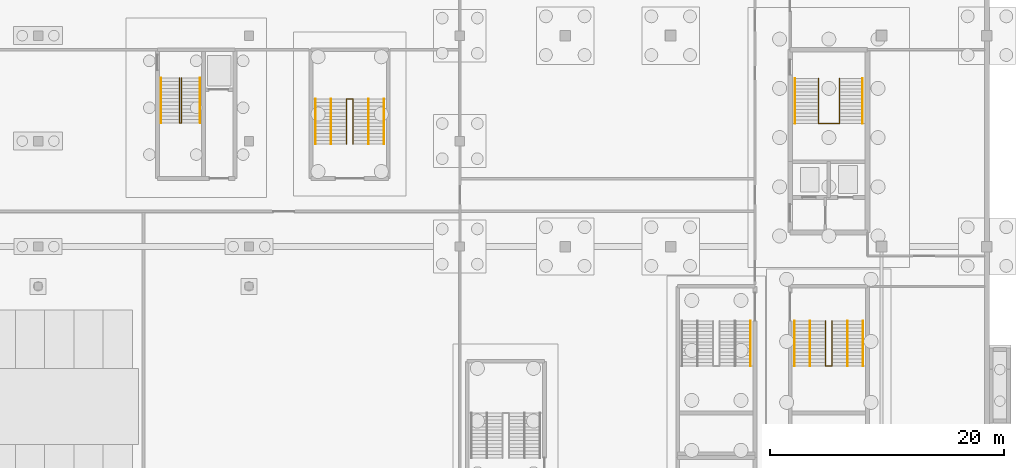
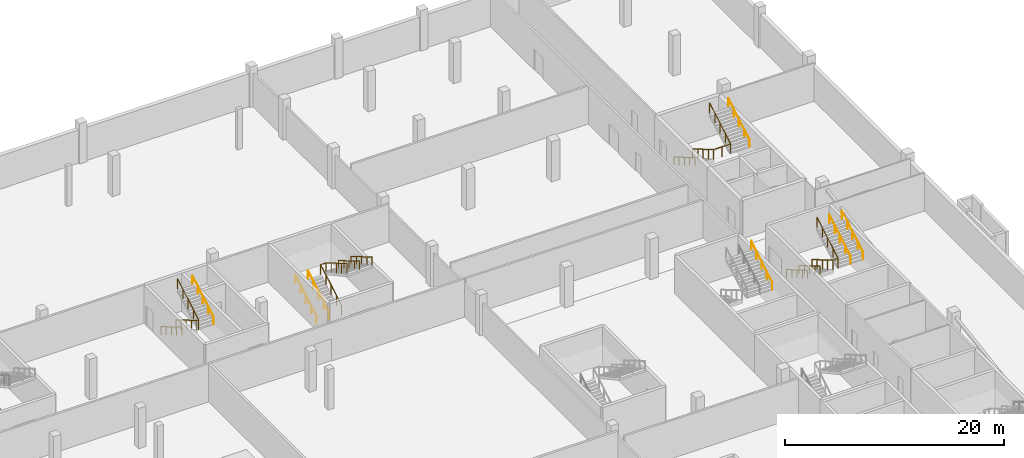
# One storey, part 44 of 46: 17 railings.
"""IFC4 building model written with IfcOpenShell, lengths in metres."""

import ifcopenshell
import ifcopenshell.guid

model = None  # the IFC model being written
_history = None  # IfcOwnerHistory: only IFC2X3 demands one
_inside = {}  # id of a spatial element -> (the spatial element, [elements in it])
_under = {}  # id of a project, library or spatial element -> (it, [spatial elements below it])
_declared = {}  # id of a project -> (the project, [libraries it declares])
_typed = {}  # id of a type object -> (the type object, [elements of that type])
_made_of = {}  # id of a material, layer set ... -> (it, [elements and type objects made of it])


def new_model(schema):
    """Start an empty IFC model of exactly this schema.

    Asked for "IFC4X3", IfcOpenShell would pick the latest addendum, in which some entities
    have other attributes; the version numbers below select the first issue.
    IFC2X3 requires an IfcOwnerHistory on every rooted entity: one is made here for all.
    """
    global model, _history
    if schema == "IFC4X3":
        model = ifcopenshell.file(schema_version=(4, 3, 0, 0))
    else:
        model = ifcopenshell.file(schema=schema)
    _inside.clear()
    _under.clear()
    _declared.clear()
    _typed.clear()
    _made_of.clear()
    _history = None
    if model.schema == "IFC2X3":
        org = make("IfcOrganization", Name="unknown")
        user = make(
            "IfcPersonAndOrganization",
            ThePerson=make("IfcPerson", FamilyName="unknown"),
            TheOrganization=org,
        )
        app = make(
            "IfcApplication",
            ApplicationDeveloper=org,
            Version="unknown",
            ApplicationFullName="unknown",
            ApplicationIdentifier="unknown",
        )
        _history = make(
            "IfcOwnerHistory",
            OwningUser=user,
            OwningApplication=app,
            ChangeAction="ADDED",
            CreationDate=0,
        )
    return model


def make(cls, **values):
    """One entity of the class cls with the attributes given. An attribute that is None is left unset."""
    return model.create_entity(
        cls, **{name: value for name, value in values.items() if value is not None}
    )


def rooted(cls, **values):
    """An entity with a GlobalId (a new one), such as an element, a storey or a relation."""
    return make(cls, GlobalId=ifcopenshell.guid.new(), OwnerHistory=_history, **values)


def si_unit(unit_type, name, prefix=None):
    """IfcSIUnit, for example si_unit("LENGTHUNIT", "METRE", prefix="MILLI")."""
    return make("IfcSIUnit", UnitType=unit_type, Prefix=prefix, Name=name)


def assignment(units):
    """IfcUnitAssignment: the units of a project."""
    return None if units is None else make("IfcUnitAssignment", Units=units)


def point(xyz):
    """IfcCartesianPoint."""
    return None if xyz is None else make("IfcCartesianPoint", Coordinates=xyz)


def direction(xyz):
    """IfcDirection."""
    return None if xyz is None else make("IfcDirection", DirectionRatios=xyz)


def frame(location, z_axis=None, x_axis=None):
    """IfcAxis2Placement3D, a coordinate frame: its origin and axes. An axis left out is left unset."""
    return make(
        "IfcAxis2Placement3D",
        Location=point(location),
        Axis=direction(z_axis),
        RefDirection=direction(x_axis),
    )


def frame_2d(location, x_axis=None):
    """IfcAxis2Placement2D, a coordinate frame in the plane: its origin and x axis."""
    return make(
        "IfcAxis2Placement2D", Location=point(location), RefDirection=direction(x_axis)
    )


def origin():
    """The frame at (0, 0, 0) with its axes left unset."""
    return frame((0.0, 0.0, 0.0))


def origin_2d():
    """The frame at (0, 0) in the plane with its x axis left unset."""
    return frame_2d((0.0, 0.0))


def place(relative_to, where):
    """IfcLocalPlacement: puts the frame where relative to a parent placement (None: the world)."""
    return make(
        "IfcLocalPlacement", PlacementRelTo=relative_to, RelativePlacement=where
    )


def context(
    kind, dimensions, precision=None, world=None, true_north=None, identifier=None
):
    """IfcGeometricRepresentationContext, for example the 3D "Model" context."""
    return make(
        "IfcGeometricRepresentationContext",
        ContextIdentifier=identifier,
        ContextType=kind,
        CoordinateSpaceDimension=dimensions,
        Precision=precision,
        WorldCoordinateSystem=world,
        TrueNorth=true_north,
    )


def subcontext(parent, identifier, kind, view, scale=None):
    """IfcGeometricRepresentationSubContext, for example "Body" below "Model"."""
    return make(
        "IfcGeometricRepresentationSubContext",
        ContextIdentifier=identifier,
        ContextType=kind,
        ParentContext=parent,
        TargetScale=scale,
        TargetView=view,
    )


def project(units=None, contexts=None):
    """IfcProject with its units and contexts."""
    return rooted(
        "IfcProject",
        Name="project",
        RepresentationContexts=contexts,
        UnitsInContext=assignment(units),
    )


def spatial(cls, under=None, at=None, **own):
    """A site, building, storey or space (cls), placed at a placement, below another one or the project."""
    s = rooted(cls, ObjectPlacement=at, **own)
    if under is not None:
        _under.setdefault(under.id(), (under, []))[1].append(s)
    return s


def profile(cls, at=None, kind="AREA", **sizes):
    """A parametric profile (cls). Its sizes go by their IFC names, for example OverallWidth=200.0."""
    return make(cls, ProfileType=kind, Position=at, **sizes)


def circle(**sizes):
    """IfcCircleProfileDef."""
    return profile("IfcCircleProfileDef", **sizes)


def extrude(swept, where, along, depth):
    """IfcExtrudedAreaSolid: the profile swept, set in the frame where, extruded along a direction by depth."""
    return make(
        "IfcExtrudedAreaSolid",
        SweptArea=swept,
        Position=where,
        ExtrudedDirection=direction(along),
        Depth=depth,
    )


def shape(context_of_items, identifier, shape_type, items):
    """IfcShapeRepresentation: the items that make up one representation, for example the "Body"."""
    return make(
        "IfcShapeRepresentation",
        ContextOfItems=context_of_items,
        RepresentationIdentifier=identifier,
        RepresentationType=shape_type,
        Items=items,
    )


def material(Name=None, Category=None):
    """IfcMaterial."""
    return make("IfcMaterial", Name=Name, Category=Category)


def made_of(thing, what):
    """Note that an element or type object is made of a material, layer set ...; save() writes the relation."""
    if what is not None:
        _made_of.setdefault(what.id(), (what, []))[1].append(thing)
    return thing


def type_object(cls, material=None, **own):
    """A type object (cls), such as IfcWallType, which elements share."""
    return made_of(rooted(cls, **own), material)


def element(
    cls,
    number,
    at=None,
    inside=None,
    cuts=None,
    type_object=None,
    material=None,
    context=None,
    identifier="Body",
    shape_type=None,
    held_by="IfcProductDefinitionShape",
    body=None,
    shapes=None,
    **own,
):
    """One element of the class cls, such as IfcWall. Its Tag is "e" and its number.

    at: its placement. inside: the storey or other place that contains it. cuts: it is an
    opening in that element (IfcRelVoidsElement). A single representation is given by context,
    identifier, shape_type and body (its items); several are given by shapes. held_by: the class
    of the entity that holds the representations. save() writes the other relations.
    """
    e = rooted(cls, Tag="e%d" % number, ObjectPlacement=at, **own)
    if body is not None:
        shapes = [shape(context, identifier, shape_type, body)]
    if shapes is not None:
        e.Representation = make(held_by, Representations=shapes)
    if inside is not None:
        _inside.setdefault(inside.id(), (inside, []))[1].append(e)
    if cuts is not None:
        rooted(
            "IfcRelVoidsElement", RelatingBuildingElement=cuts, RelatedOpeningElement=e
        )
    if type_object is not None:
        _typed.setdefault(type_object.id(), (type_object, []))[1].append(e)
    return made_of(e, material)


def aggregate(whole, parts):
    """IfcRelAggregates: a whole, such as a stair, and the parts it consists of."""
    return rooted("IfcRelAggregates", RelatingObject=whole, RelatedObjects=parts)


def save(model, path):
    """Write the relations noted so far, then the file.

    IfcRelAggregates (storeys below a building ...), IfcRelContainedInSpatialStructure (elements
    in a storey), IfcRelDefinesByType, IfcRelAssociatesMaterial and IfcRelDeclares: one each for
    every whole, place, type object, material and project.
    """
    for whole, parts in _under.values():
        aggregate(whole, parts)
    for where, things in _inside.values():
        rooted(
            "IfcRelContainedInSpatialStructure",
            RelatedElements=things,
            RelatingStructure=where,
        )
    for kind, things in _typed.values():
        rooted("IfcRelDefinesByType", RelatedObjects=things, RelatingType=kind)
    for what, things in _made_of.values():
        rooted("IfcRelAssociatesMaterial", RelatedObjects=things, RelatingMaterial=what)
    for by, libraries in _declared.values():
        rooted("IfcRelDeclares", RelatingContext=by, RelatedDefinitions=libraries)
    model.write(path)


model = new_model("IFC4")

# Units and contexts
model_context = context("Model", 3, precision=1e-05, world=origin(), true_north=direction((0.0, 1.0)))
body_context = subcontext(model_context, "Body", "Model", "MODEL_VIEW")
ifc_project = project(units=[si_unit("LENGTHUNIT", "METRE"), si_unit("AREAUNIT", "SQUARE_METRE"), si_unit("VOLUMEUNIT", "CUBIC_METRE"), si_unit("PLANEANGLEUNIT", "RADIAN"), si_unit("MASSUNIT", "GRAM", prefix="KILO")], contexts=[model_context])

# Site, building, storey
site_placement = place(None, origin())
site = spatial("IfcSite", under=ifc_project, at=site_placement, CompositionType="ELEMENT")
building_placement = place(site_placement, origin())
building = spatial("IfcBuilding", under=site, at=building_placement, Name="Kisiwana Market Hall", CompositionType="ELEMENT")
storey_placement = place(building_placement, frame((0.0, 0.0, -4.5)))
storey = spatial("IfcBuildingStorey", under=building, at=storey_placement, Name="B1", CompositionType="ELEMENT", Elevation=-4.5)

# Railings
ifc_material_1 = material(Name="Steel S275", Category="steel")
railing_type_1 = type_object("IfcRailingType", Name="RL-GUARD-1100", PredefinedType="GUARDRAIL", material=ifc_material_1)
railing_1_placement = place(storey_placement, frame((183.60009765625, 98.3505859375, 0.0)))
element("IfcRailing", 1, at=railing_1_placement, inside=storey, type_object=railing_type_1, Name="Stair ST-E1-B1 inner-well guardrail (RL-022)", PredefinedType="GUARDRAIL", context=body_context, shape_type="SweptSolid", body=[
    extrude(circle(Radius=0.02392578125, at=origin_2d()), frame((0.0, 0.0, 1.076171875), z_axis=(0.0, -0.86252362769, 0.506016789916), x_axis=(1.0, 0.0, 0.0)), (0.0, 0.0, 1.0), 4.446533203125),
    extrude(circle(Radius=0.02392578125, at=origin_2d()), frame((0.0, -3.835205078125, 3.326171875), z_axis=(1.0, 0.0, 0.0), x_axis=(0.0, 1.0, 0.0)), (0.0, 0.0, 1.0), 1.7998046875),
    extrude(circle(Radius=0.02392578125, at=origin_2d()), frame((1.7998046875, -3.835205078125, 3.326171875), z_axis=(0.0, 0.86252362769, 0.506016789916), x_axis=(-1.0, 0.0, 0.0)), (0.0, 0.0, 1.0), 4.446533203125),
    extrude(circle(Radius=0.02099609375, at=origin_2d()), origin(), (0.0, 0.0, 1.0), 1.052001953125),
    extrude(circle(Radius=0.02099609375, at=origin_2d()), frame((0.0, -0.958740234375, 0.5625)), (0.0, 0.0, 1.0), 1.052001953125),
    extrude(circle(Radius=0.02099609375, at=origin_2d()), frame((0.0, -1.91748046875, 1.125)), (0.0, 0.0, 1.0), 1.052001953125),
    extrude(circle(Radius=0.02099609375, at=origin_2d()), frame((0.0, -2.87646484375, 1.6875)), (0.0, 0.0, 1.0), 1.052001953125),
    extrude(circle(Radius=0.02099609375, at=origin_2d()), frame((0.0, -3.835205078125, 2.25)), (0.0, 0.0, 1.0), 1.052001953125),
    extrude(circle(Radius=0.02099609375, at=origin_2d()), frame((0.89990234375, -3.835205078125, 2.25)), (0.0, 0.0, 1.0), 1.052001953125),
    extrude(circle(Radius=0.02099609375, at=origin_2d()), frame((1.7998046875, -3.835205078125, 2.25)), (0.0, 0.0, 1.0), 1.052001953125),
    extrude(circle(Radius=0.02099609375, at=origin_2d()), frame((1.7998046875, -2.87646484375, 2.8125)), (0.0, 0.0, 1.0), 1.052001953125),
    extrude(circle(Radius=0.02099609375, at=origin_2d()), frame((1.7998046875, -1.91748046875, 3.375)), (0.0, 0.0, 1.0), 1.052001953125),
    extrude(circle(Radius=0.02099609375, at=origin_2d()), frame((1.7998046875, -0.958740234375, 3.9375)), (0.0, 0.0, 1.0), 1.052001953125),
    extrude(circle(Radius=0.02099609375, at=origin_2d()), frame((1.7998046875, 0.0, 4.5)), (0.0, 0.0, 1.0), 1.052001953125),
])
railing_2_placement = place(storey_placement, frame((129.06005859375, 98.390380859375, 0.0)))
element("IfcRailing", 2, at=railing_2_placement, inside=storey, type_object=railing_type_1, Name="Stair ST-N2-B1 inner-well guardrail (RL-034)", PredefinedType="GUARDRAIL", context=body_context, shape_type="SweptSolid", body=[
    extrude(circle(Radius=0.02392578125, at=origin_2d()), frame((0.0, 0.0, 1.076171875), z_axis=(0.0, -0.86250956776, 0.506040754805), x_axis=(1.0, 0.0, 0.0)), (0.0, 0.0, 1.0), 4.4462890625),
    extrude(circle(Radius=0.02392578125, at=origin_2d()), frame((0.0, -3.8349609375, 3.326171875), z_axis=(1.0, 0.0, 0.0), x_axis=(0.0, 1.0, 0.0)), (0.0, 0.0, 1.0), 0.199951171875),
    extrude(circle(Radius=0.02392578125, at=origin_2d()), frame((0.199951171875, -3.8349609375, 3.326171875), z_axis=(0.0, 0.86250956776, 0.506040754805), x_axis=(-1.0, 0.0, 0.0)), (0.0, 0.0, 1.0), 4.4462890625),
    extrude(circle(Radius=0.02099609375, at=origin_2d()), origin(), (0.0, 0.0, 1.0), 1.052001953125),
    extrude(circle(Radius=0.02099609375, at=origin_2d()), frame((0.0, -0.958740234375, 0.5625)), (0.0, 0.0, 1.0), 1.052001953125),
    extrude(circle(Radius=0.02099609375, at=origin_2d()), frame((0.0, -1.91748046875, 1.125)), (0.0, 0.0, 1.0), 1.052001953125),
    extrude(circle(Radius=0.02099609375, at=origin_2d()), frame((0.0, -2.876220703125, 1.6875)), (0.0, 0.0, 1.0), 1.052001953125),
    extrude(circle(Radius=0.02099609375, at=origin_2d()), frame((0.0, -3.8349609375, 2.25)), (0.0, 0.0, 1.0), 1.052001953125),
    extrude(circle(Radius=0.02099609375, at=origin_2d()), frame((0.199951171875, -3.8349609375, 2.25)), (0.0, 0.0, 1.0), 1.052001953125),
    extrude(circle(Radius=0.02099609375, at=origin_2d()), frame((0.199951171875, -2.876220703125, 2.8125)), (0.0, 0.0, 1.0), 1.052001953125),
    extrude(circle(Radius=0.02099609375, at=origin_2d()), frame((0.199951171875, -1.91748046875, 3.375)), (0.0, 0.0, 1.0), 1.052001953125),
    extrude(circle(Radius=0.02099609375, at=origin_2d()), frame((0.199951171875, -0.958740234375, 3.9375)), (0.0, 0.0, 1.0), 1.052001953125),
    extrude(circle(Radius=0.02099609375, at=origin_2d()), frame((0.199951171875, 0.0, 4.5)), (0.0, 0.0, 1.0), 1.052001953125),
])
railing_3_placement = place(storey_placement, frame((184.219970703125, 77.639892578125, 0.0)))
element("IfcRailing", 3, at=railing_3_placement, inside=storey, type_object=railing_type_1, Name="Stair ST-E4-B1 inner-well guardrail (RL-052)", PredefinedType="GUARDRAIL", context=body_context, shape_type="SweptSolid", body=[
    extrude(circle(Radius=0.02392578125, at=origin_2d()), frame((0.0, 0.0, 1.076171875), z_axis=(0.0, -0.86250956776, 0.506040754805), x_axis=(1.0, 0.0, 0.0)), (0.0, 0.0, 1.0), 4.4462890625),
    extrude(circle(Radius=0.02392578125, at=origin_2d()), frame((0.0, -3.8349609375, 3.326171875), z_axis=(1.0, 0.0, 0.0), x_axis=(0.0, 1.0, 0.0)), (0.0, 0.0, 1.0), 0.56005859375),
    extrude(circle(Radius=0.02392578125, at=origin_2d()), frame((0.56005859375, -3.8349609375, 3.326171875), z_axis=(0.0, 0.86250956776, 0.506040754805), x_axis=(-1.0, 0.0, 0.0)), (0.0, 0.0, 1.0), 4.4462890625),
    extrude(circle(Radius=0.02099609375, at=origin_2d()), origin(), (0.0, 0.0, 1.0), 1.052001953125),
    extrude(circle(Radius=0.02099609375, at=origin_2d()), frame((0.0, -0.958740234375, 0.5625)), (0.0, 0.0, 1.0), 1.052001953125),
    extrude(circle(Radius=0.02099609375, at=origin_2d()), frame((0.0, -1.91748046875, 1.125)), (0.0, 0.0, 1.0), 1.052001953125),
    extrude(circle(Radius=0.02099609375, at=origin_2d()), frame((0.0, -2.876220703125, 1.6875)), (0.0, 0.0, 1.0), 1.052001953125),
    extrude(circle(Radius=0.02099609375, at=origin_2d()), frame((0.0, -3.8349609375, 2.25)), (0.0, 0.0, 1.0), 1.052001953125),
    extrude(circle(Radius=0.02099609375, at=origin_2d()), frame((0.56005859375, -3.8349609375, 2.25)), (0.0, 0.0, 1.0), 1.052001953125),
    extrude(circle(Radius=0.02099609375, at=origin_2d()), frame((0.56005859375, -2.876220703125, 2.8125)), (0.0, 0.0, 1.0), 1.052001953125),
    extrude(circle(Radius=0.02099609375, at=origin_2d()), frame((0.56005859375, -1.91748046875, 3.375)), (0.0, 0.0, 1.0), 1.052001953125),
    extrude(circle(Radius=0.02099609375, at=origin_2d()), frame((0.56005859375, -0.958740234375, 3.9375)), (0.0, 0.0, 1.0), 1.052001953125),
    extrude(circle(Radius=0.02099609375, at=origin_2d()), frame((0.56005859375, 0.0, 4.5)), (0.0, 0.0, 1.0), 1.052001953125),
])
railing_4_placement = place(storey_placement, frame((143.320068359375, 92.760009765625, 0.0)))
element("IfcRailing", 4, at=railing_4_placement, inside=storey, type_object=railing_type_1, Name="Stair ST-N6-B1 inner-well guardrail (RL-142)", PredefinedType="GUARDRAIL", context=body_context, shape_type="SweptSolid", body=[
    extrude(circle(Radius=0.02392578125, at=origin_2d()), frame((0.0, 0.0, 1.076171875), z_axis=(0.0, 0.86250956776, 0.506040754805), x_axis=(-1.0, 0.0, 0.0)), (0.0, 0.0, 1.0), 4.4462890625),
    extrude(circle(Radius=0.02392578125, at=origin_2d()), frame((0.0, 3.8349609375, 3.326171875), z_axis=(1.0, 0.0, 0.0), x_axis=(0.0, 1.0, 0.0)), (0.0, 0.0, 1.0), 0.559814453125),
    extrude(circle(Radius=0.02392578125, at=origin_2d()), frame((0.559814453125, 3.8349609375, 3.326171875), z_axis=(0.0, -0.86250956776, 0.506040754805), x_axis=(1.0, 0.0, 0.0)), (0.0, 0.0, 1.0), 4.4462890625),
    extrude(circle(Radius=0.02099609375, at=origin_2d()), origin(), (0.0, 0.0, 1.0), 1.052001953125),
    extrude(circle(Radius=0.02099609375, at=origin_2d()), frame((0.0, 0.958740234375, 0.5625)), (0.0, 0.0, 1.0), 1.052001953125),
    extrude(circle(Radius=0.02099609375, at=origin_2d()), frame((0.0, 1.91748046875, 1.125)), (0.0, 0.0, 1.0), 1.052001953125),
    extrude(circle(Radius=0.02099609375, at=origin_2d()), frame((0.0, 2.876220703125, 1.6875)), (0.0, 0.0, 1.0), 1.052001953125),
    extrude(circle(Radius=0.02099609375, at=origin_2d()), frame((0.0, 3.8349609375, 2.25)), (0.0, 0.0, 1.0), 1.052001953125),
    extrude(circle(Radius=0.02099609375, at=origin_2d()), frame((0.559814453125, 3.8349609375, 2.25)), (0.0, 0.0, 1.0), 1.052001953125),
    extrude(circle(Radius=0.02099609375, at=origin_2d()), frame((0.559814453125, 2.876220703125, 2.8125)), (0.0, 0.0, 1.0), 1.052001953125),
    extrude(circle(Radius=0.02099609375, at=origin_2d()), frame((0.559814453125, 1.91748046875, 3.375)), (0.0, 0.0, 1.0), 1.052001953125),
    extrude(circle(Radius=0.02099609375, at=origin_2d()), frame((0.559814453125, 0.958740234375, 3.9375)), (0.0, 0.0, 1.0), 1.052001953125),
    extrude(circle(Radius=0.02099609375, at=origin_2d()), frame((0.559814453125, 0.0, 4.5)), (0.0, 0.0, 1.0), 1.052001953125),
])
ifc_material_2 = material(Name="Steel S275", Category="steel")
railing_type_2 = type_object("IfcRailingType", Name="RL-HAND-900", PredefinedType="HANDRAIL", material=ifc_material_2)
railing_5_placement = place(storey_placement, frame((181.610107421875, 98.3505859375, 0.0)))
element("IfcRailing", 5, at=railing_5_placement, inside=storey, type_object=railing_type_2, Name="Stair ST-E1-B1 flight 1 handrail (RL-023)", PredefinedType="HANDRAIL", context=body_context, shape_type="SweptSolid", body=[
    extrude(circle(Radius=0.02392578125, at=origin_2d()), frame((0.0, 0.0, 0.8759765625), z_axis=(0.0, -0.86252362769, 0.506016789916), x_axis=(1.0, 0.0, 0.0)), (0.0, 0.0, 1.0), 4.446533203125),
    extrude(circle(Radius=0.02099609375, at=origin_2d()), origin(), (0.0, 0.0, 1.0), 0.851806640625),
    extrude(circle(Radius=0.02099609375, at=origin_2d()), frame((0.0, -0.958740234375, 0.5625)), (0.0, 0.0, 1.0), 0.851806640625),
    extrude(circle(Radius=0.02099609375, at=origin_2d()), frame((0.0, -1.91748046875, 1.125)), (0.0, 0.0, 1.0), 0.851806640625),
    extrude(circle(Radius=0.02099609375, at=origin_2d()), frame((0.0, -2.87646484375, 1.6875)), (0.0, 0.0, 1.0), 0.851806640625),
    extrude(circle(Radius=0.02099609375, at=origin_2d()), frame((0.0, -3.835205078125, 2.25)), (0.0, 0.0, 1.0), 0.851806640625),
])
railing_6_placement = place(storey_placement, frame((187.389892578125, 94.515380859375, 2.25)))
element("IfcRailing", 6, at=railing_6_placement, inside=storey, type_object=railing_type_2, Name="Stair ST-E1-B1 flight 2 handrail (RL-024)", PredefinedType="HANDRAIL", context=body_context, shape_type="SweptSolid", body=[
    extrude(circle(Radius=0.02392578125, at=origin_2d()), frame((0.0, 0.0, 0.8759765625), z_axis=(0.0, 0.86252362769, 0.506016789916), x_axis=(-1.0, 0.0, 0.0)), (0.0, 0.0, 1.0), 4.446533203125),
    extrude(circle(Radius=0.02099609375, at=origin_2d()), origin(), (0.0, 0.0, 1.0), 0.851806640625),
    extrude(circle(Radius=0.02099609375, at=origin_2d()), frame((0.0, 0.958740234375, 0.5625)), (0.0, 0.0, 1.0), 0.851806640625),
    extrude(circle(Radius=0.02099609375, at=origin_2d()), frame((0.0, 1.91748046875, 1.125)), (0.0, 0.0, 1.0), 0.851806640625),
    extrude(circle(Radius=0.02099609375, at=origin_2d()), frame((0.0, 2.87646484375, 1.6875)), (0.0, 0.0, 1.0), 0.851806640625),
    extrude(circle(Radius=0.02099609375, at=origin_2d()), frame((0.0, 3.835205078125, 2.25)), (0.0, 0.0, 1.0), 0.851806640625),
])
railing_7_placement = place(storey_placement, frame((127.47998046875, 98.390380859375, 0.0)))
element("IfcRailing", 7, at=railing_7_placement, inside=storey, type_object=railing_type_2, Name="Stair ST-N2-B1 flight 1 handrail (RL-035)", PredefinedType="HANDRAIL", context=body_context, shape_type="SweptSolid", body=[
    extrude(circle(Radius=0.02392578125, at=origin_2d()), frame((0.0, 0.0, 0.8759765625), z_axis=(0.0, -0.86250956776, 0.506040754805), x_axis=(1.0, 0.0, 0.0)), (0.0, 0.0, 1.0), 4.4462890625),
    extrude(circle(Radius=0.02099609375, at=origin_2d()), origin(), (0.0, 0.0, 1.0), 0.851806640625),
    extrude(circle(Radius=0.02099609375, at=origin_2d()), frame((0.0, -0.958740234375, 0.5625)), (0.0, 0.0, 1.0), 0.851806640625),
    extrude(circle(Radius=0.02099609375, at=origin_2d()), frame((0.0, -1.91748046875, 1.125)), (0.0, 0.0, 1.0), 0.851806640625),
    extrude(circle(Radius=0.02099609375, at=origin_2d()), frame((0.0, -2.876220703125, 1.6875)), (0.0, 0.0, 1.0), 0.851806640625),
    extrude(circle(Radius=0.02099609375, at=origin_2d()), frame((0.0, -3.8349609375, 2.25)), (0.0, 0.0, 1.0), 0.851806640625),
])
railing_8_placement = place(storey_placement, frame((130.840087890625, 94.555419921875, 2.25)))
element("IfcRailing", 8, at=railing_8_placement, inside=storey, type_object=railing_type_2, Name="Stair ST-N2-B1 flight 2 handrail (RL-036)", PredefinedType="HANDRAIL", context=body_context, shape_type="SweptSolid", body=[
    extrude(circle(Radius=0.02392578125, at=origin_2d()), frame((0.0, 0.0, 0.8759765625), z_axis=(0.0, 0.86250956776, 0.506040754805), x_axis=(-1.0, 0.0, 0.0)), (0.0, 0.0, 1.0), 4.4462890625),
    extrude(circle(Radius=0.02099609375, at=origin_2d()), origin(), (0.0, 0.0, 1.0), 0.851806640625),
    extrude(circle(Radius=0.02099609375, at=origin_2d()), frame((0.0, 0.958740234375, 0.5625)), (0.0, 0.0, 1.0), 0.851806640625),
    extrude(circle(Radius=0.02099609375, at=origin_2d()), frame((0.0, 1.91748046875, 1.125)), (0.0, 0.0, 1.0), 0.851806640625),
    extrude(circle(Radius=0.02099609375, at=origin_2d()), frame((0.0, 2.876220703125, 1.6875)), (0.0, 0.0, 1.0), 0.851806640625),
    extrude(circle(Radius=0.02099609375, at=origin_2d()), frame((0.0, 3.8349609375, 2.25)), (0.0, 0.0, 1.0), 0.851806640625),
])
railing_9_placement = place(storey_placement, frame((181.570068359375, 77.639892578125, 0.0)))
element("IfcRailing", 9, at=railing_9_placement, inside=storey, type_object=railing_type_2, Name="Stair ST-E4-B1 flight 1 handrail (RL-053)", PredefinedType="HANDRAIL", context=body_context, shape_type="SweptSolid", body=[
    extrude(circle(Radius=0.02392578125, at=origin_2d()), frame((0.0, 0.0, 0.8759765625), z_axis=(0.0, -0.86250956776, 0.506040754805), x_axis=(1.0, 0.0, 0.0)), (0.0, 0.0, 1.0), 4.4462890625),
    extrude(circle(Radius=0.02099609375, at=origin_2d()), origin(), (0.0, 0.0, 1.0), 0.851806640625),
    extrude(circle(Radius=0.02099609375, at=origin_2d()), frame((0.0, -0.958740234375, 0.5625)), (0.0, 0.0, 1.0), 0.851806640625),
    extrude(circle(Radius=0.02099609375, at=origin_2d()), frame((0.0, -1.91748046875, 1.125)), (0.0, 0.0, 1.0), 0.851806640625),
    extrude(circle(Radius=0.02099609375, at=origin_2d()), frame((0.0, -2.876220703125, 1.6875)), (0.0, 0.0, 1.0), 0.851806640625),
    extrude(circle(Radius=0.02099609375, at=origin_2d()), frame((0.0, -3.8349609375, 2.25)), (0.0, 0.0, 1.0), 0.851806640625),
])
railing_10_placement = place(storey_placement, frame((187.429931640625, 73.804931640625, 2.25)))
element("IfcRailing", 10, at=railing_10_placement, inside=storey, type_object=railing_type_2, Name="Stair ST-E4-B1 flight 2 handrail (RL-054)", PredefinedType="HANDRAIL", context=body_context, shape_type="SweptSolid", body=[
    extrude(circle(Radius=0.02392578125, at=origin_2d()), frame((0.0, 0.0, 0.8759765625), z_axis=(0.0, 0.86250956776, 0.506040754805), x_axis=(-1.0, 0.0, 0.0)), (0.0, 0.0, 1.0), 4.4462890625),
    extrude(circle(Radius=0.02099609375, at=origin_2d()), origin(), (0.0, 0.0, 1.0), 0.851806640625),
    extrude(circle(Radius=0.02099609375, at=origin_2d()), frame((0.0, 0.958740234375, 0.5625)), (0.0, 0.0, 1.0), 0.851806640625),
    extrude(circle(Radius=0.02099609375, at=origin_2d()), frame((0.0, 1.91748046875, 1.125)), (0.0, 0.0, 1.0), 0.851806640625),
    extrude(circle(Radius=0.02099609375, at=origin_2d()), frame((0.0, 2.876220703125, 1.6875)), (0.0, 0.0, 1.0), 0.851806640625),
    extrude(circle(Radius=0.02099609375, at=origin_2d()), frame((0.0, 3.8349609375, 2.25)), (0.0, 0.0, 1.0), 0.851806640625),
])
railing_11_placement = place(storey_placement, frame((182.889892578125, 77.639892578125, 0.0)))
element("IfcRailing", 11, at=railing_11_placement, inside=storey, type_object=railing_type_2, Name="Stair ST-E4-B1 flight 1 intermediate handrail (RL-055)", PredefinedType="HANDRAIL", context=body_context, shape_type="SweptSolid", body=[
    extrude(circle(Radius=0.02392578125, at=origin_2d()), frame((0.0, 0.0, 0.8759765625), z_axis=(0.0, -0.86250956776, 0.506040754805), x_axis=(1.0, 0.0, 0.0)), (0.0, 0.0, 1.0), 4.4462890625),
    extrude(circle(Radius=0.02099609375, at=origin_2d()), origin(), (0.0, 0.0, 1.0), 0.851806640625),
    extrude(circle(Radius=0.02099609375, at=origin_2d()), frame((0.0, -0.958740234375, 0.5625)), (0.0, 0.0, 1.0), 0.851806640625),
    extrude(circle(Radius=0.02099609375, at=origin_2d()), frame((0.0, -1.91748046875, 1.125)), (0.0, 0.0, 1.0), 0.851806640625),
    extrude(circle(Radius=0.02099609375, at=origin_2d()), frame((0.0, -2.876220703125, 1.6875)), (0.0, 0.0, 1.0), 0.851806640625),
    extrude(circle(Radius=0.02099609375, at=origin_2d()), frame((0.0, -3.8349609375, 2.25)), (0.0, 0.0, 1.0), 0.851806640625),
])
for number, where, name in (
    (12, (186.110107421875, 73.804931640625, 2.25), "Stair ST-E4-B1 flight 2 intermediate handrail (RL-056)"),
    (13, (177.830078125, 73.804931640625, 2.25), "Stair ST-E8-B1 flight 2 handrail (RL-074)"),
    (14, (140.669921875, 92.760009765625, 0.0), "Stair ST-N6-B1 flight 1 handrail (RL-143)"),
):
    element("IfcRailing", number, at=place(storey_placement, frame(where)), inside=storey, type_object=railing_type_2, Name=name, PredefinedType="HANDRAIL", context=body_context, shape_type="SweptSolid", body=[
        extrude(circle(Radius=0.02392578125, at=origin_2d()), frame((0.0, 0.0, 0.8759765625), z_axis=(0.0, 0.86250956776, 0.506040754805), x_axis=(-1.0, 0.0, 0.0)), (0.0, 0.0, 1.0), 4.4462890625),
        extrude(circle(Radius=0.02099609375, at=origin_2d()), origin(), (0.0, 0.0, 1.0), 0.851806640625),
        extrude(circle(Radius=0.02099609375, at=origin_2d()), frame((0.0, 0.958740234375, 0.5625)), (0.0, 0.0, 1.0), 0.851806640625),
        extrude(circle(Radius=0.02099609375, at=origin_2d()), frame((0.0, 1.91748046875, 1.125)), (0.0, 0.0, 1.0), 0.851806640625),
        extrude(circle(Radius=0.02099609375, at=origin_2d()), frame((0.0, 2.876220703125, 1.6875)), (0.0, 0.0, 1.0), 0.851806640625),
        extrude(circle(Radius=0.02099609375, at=origin_2d()), frame((0.0, 3.8349609375, 2.25)), (0.0, 0.0, 1.0), 0.851806640625),
    ])
railing_12_placement = place(storey_placement, frame((146.530029296875, 96.594970703125, 2.25)))
element("IfcRailing", 15, at=railing_12_placement, inside=storey, type_object=railing_type_2, Name="Stair ST-N6-B1 flight 2 handrail (RL-144)", PredefinedType="HANDRAIL", context=body_context, shape_type="SweptSolid", body=[
    extrude(circle(Radius=0.02392578125, at=origin_2d()), frame((0.0, 0.0, 0.8759765625), z_axis=(0.0, -0.86250956776, 0.506040754805), x_axis=(1.0, 0.0, 0.0)), (0.0, 0.0, 1.0), 4.4462890625),
    extrude(circle(Radius=0.02099609375, at=origin_2d()), origin(), (0.0, 0.0, 1.0), 0.851806640625),
    extrude(circle(Radius=0.02099609375, at=origin_2d()), frame((0.0, -0.958740234375, 0.5625)), (0.0, 0.0, 1.0), 0.851806640625),
    extrude(circle(Radius=0.02099609375, at=origin_2d()), frame((0.0, -1.91748046875, 1.125)), (0.0, 0.0, 1.0), 0.851806640625),
    extrude(circle(Radius=0.02099609375, at=origin_2d()), frame((0.0, -2.876220703125, 1.6875)), (0.0, 0.0, 1.0), 0.851806640625),
    extrude(circle(Radius=0.02099609375, at=origin_2d()), frame((0.0, -3.8349609375, 2.25)), (0.0, 0.0, 1.0), 0.851806640625),
])
railing_13_placement = place(storey_placement, frame((141.989990234375, 92.760009765625, 0.0)))
element("IfcRailing", 16, at=railing_13_placement, inside=storey, type_object=railing_type_2, Name="Stair ST-N6-B1 flight 1 intermediate handrail (RL-145)", PredefinedType="HANDRAIL", context=body_context, shape_type="SweptSolid", body=[
    extrude(circle(Radius=0.02392578125, at=origin_2d()), frame((0.0, 0.0, 0.8759765625), z_axis=(0.0, 0.86250956776, 0.506040754805), x_axis=(-1.0, 0.0, 0.0)), (0.0, 0.0, 1.0), 4.4462890625),
    extrude(circle(Radius=0.02099609375, at=origin_2d()), origin(), (0.0, 0.0, 1.0), 0.851806640625),
    extrude(circle(Radius=0.02099609375, at=origin_2d()), frame((0.0, 0.958740234375, 0.5625)), (0.0, 0.0, 1.0), 0.851806640625),
    extrude(circle(Radius=0.02099609375, at=origin_2d()), frame((0.0, 1.91748046875, 1.125)), (0.0, 0.0, 1.0), 0.851806640625),
    extrude(circle(Radius=0.02099609375, at=origin_2d()), frame((0.0, 2.876220703125, 1.6875)), (0.0, 0.0, 1.0), 0.851806640625),
    extrude(circle(Radius=0.02099609375, at=origin_2d()), frame((0.0, 3.8349609375, 2.25)), (0.0, 0.0, 1.0), 0.851806640625),
])
railing_14_placement = place(storey_placement, frame((145.2099609375, 96.594970703125, 2.25)))
element("IfcRailing", 17, at=railing_14_placement, inside=storey, type_object=railing_type_2, Name="Stair ST-N6-B1 flight 2 intermediate handrail (RL-146)", PredefinedType="HANDRAIL", context=body_context, shape_type="SweptSolid", body=[
    extrude(circle(Radius=0.02392578125, at=origin_2d()), frame((0.0, 0.0, 0.8759765625), z_axis=(0.0, -0.86250956776, 0.506040754805), x_axis=(1.0, 0.0, 0.0)), (0.0, 0.0, 1.0), 4.4462890625),
    extrude(circle(Radius=0.02099609375, at=origin_2d()), origin(), (0.0, 0.0, 1.0), 0.851806640625),
    extrude(circle(Radius=0.02099609375, at=origin_2d()), frame((0.0, -0.958740234375, 0.5625)), (0.0, 0.0, 1.0), 0.851806640625),
    extrude(circle(Radius=0.02099609375, at=origin_2d()), frame((0.0, -1.91748046875, 1.125)), (0.0, 0.0, 1.0), 0.851806640625),
    extrude(circle(Radius=0.02099609375, at=origin_2d()), frame((0.0, -2.876220703125, 1.6875)), (0.0, 0.0, 1.0), 0.851806640625),
    extrude(circle(Radius=0.02099609375, at=origin_2d()), frame((0.0, -3.8349609375, 2.25)), (0.0, 0.0, 1.0), 0.851806640625),
])

save(model, "model.ifc")
